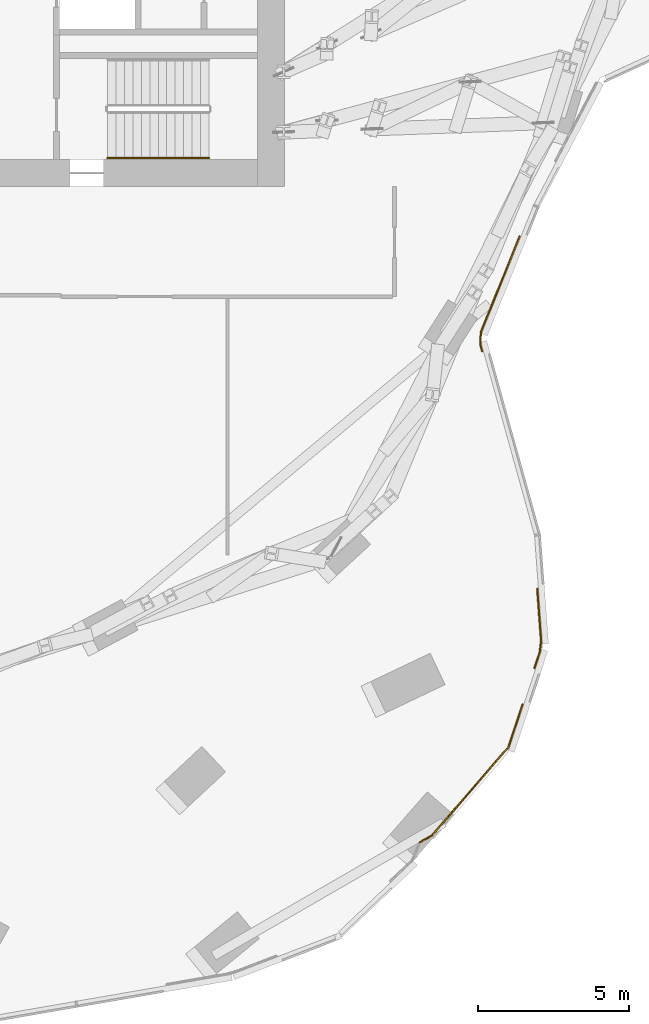
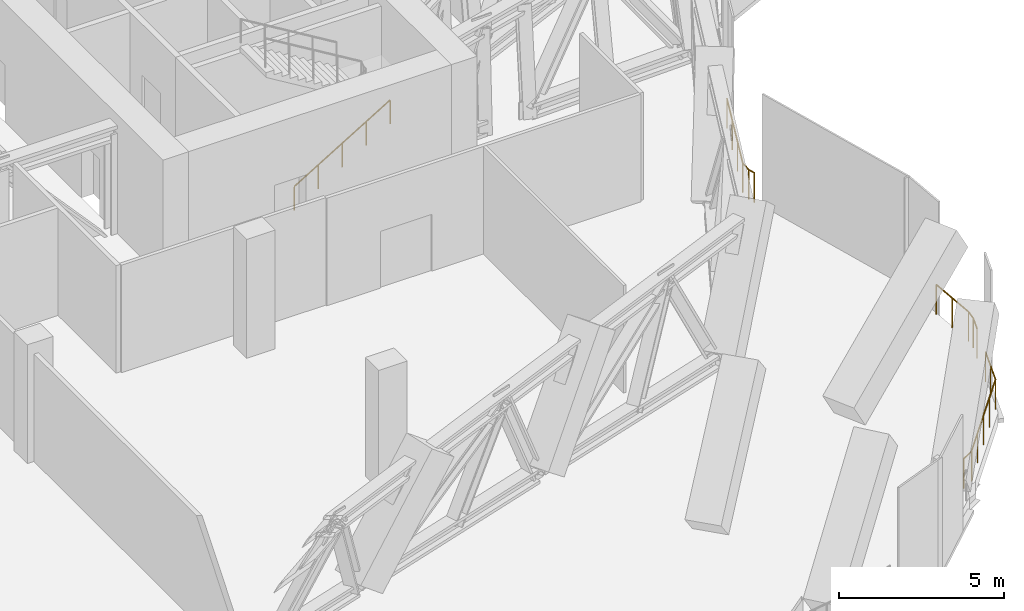
# One storey, part 29 of 31: 5 railings.
"""IFC4 building model written with IfcOpenShell, lengths in metres."""

from ifc_helpers import new_model, si_unit, direction, frame, origin, origin_2d, place, context, subcontext, project, spatial, circle, extrude, material, type_object, element, save


model = new_model("IFC4")

# Units and contexts
model_context = context("Model", 3, precision=1e-05, world=origin(), true_north=direction((0.0, 1.0)))
body_context = subcontext(model_context, "Body", "Model", "MODEL_VIEW")
ifc_project = project(units=[si_unit("LENGTHUNIT", "METRE"), si_unit("AREAUNIT", "SQUARE_METRE"), si_unit("VOLUMEUNIT", "CUBIC_METRE"), si_unit("PLANEANGLEUNIT", "RADIAN"), si_unit("MASSUNIT", "GRAM", prefix="KILO")], contexts=[model_context])

# Site, building, storey
site_placement = place(None, origin())
site = spatial("IfcSite", under=ifc_project, at=site_placement, CompositionType="ELEMENT")
building_placement = place(site_placement, origin())
building = spatial("IfcBuilding", under=site, at=building_placement, Name="Orlundy Tower", CompositionType="ELEMENT")
storey_placement = place(building_placement, frame((0.0, 0.0, 271.0)))
storey = spatial("IfcBuildingStorey", under=building, at=storey_placement, Name="L72", CompositionType="ELEMENT", Elevation=271.0)

# Railings
ifc_material_1 = material(Name="Steel handrail", Category="steel")
railing_type_1 = type_object("IfcRailingType", Name="Stair Handrail 900", PredefinedType="HANDRAIL", material=ifc_material_1)
railing_1_placement = place(storey_placement, frame((13.139892578125, -11.050048828125, 0.169189453125)))
element("IfcRailing", 1, at=railing_1_placement, inside=storey, type_object=railing_type_1, Name="L72 ST-E1 stair handrail 1", PredefinedType="HANDRAIL", context=body_context, shape_type="SweptSolid", body=[
    extrude(circle(Radius=0.02392578125, at=origin_2d()), frame((0.0, 0.0, 0.8759765625), z_axis=(0.855836976705, 0.0, 0.517245656632), x_axis=(0.0, 1.0, 0.0)), (0.0, 0.0, 1.0), 3.926025390625),
    extrude(circle(Radius=0.02099609375, at=origin_2d()), origin(), (0.0, 0.0, 1.0), 0.851806640625),
    extrude(circle(Radius=0.02099609375, at=origin_2d()), frame((0.840087890625, 0.0, 0.5078125)), (0.0, 0.0, 1.0), 0.851806640625),
    extrude(circle(Radius=0.02099609375, at=origin_2d()), frame((1.68017578125, 0.0, 1.015380859375)), (0.0, 0.0, 1.0), 0.851806640625),
    extrude(circle(Radius=0.02099609375, at=origin_2d()), frame((2.52001953125, 0.0, 1.52294921875)), (0.0, 0.0, 1.0), 0.851806640625),
    extrude(circle(Radius=0.02099609375, at=origin_2d()), frame((3.360107421875, 0.0, 2.03076171875)), (0.0, 0.0, 1.0), 0.851806640625),
])
ifc_material_2 = material(Name="Stainless steel bronze finish", Category="steel")
railing_type_2 = type_object("IfcRailingType", Name="TG1 terrace guard", PredefinedType="GUARDRAIL", material=ifc_material_2)
railing_2_placement = place(storey_placement, frame((26.893310546875, -29.168701171875, 0.0)))
element("IfcRailing", 2, at=railing_2_placement, inside=storey, type_object=railing_type_2, Name="Guard TG-L72-E05", PredefinedType="GUARDRAIL", context=body_context, shape_type="SweptSolid", body=[
    extrude(circle(Radius=0.02490234375, at=origin_2d()), frame((0.0, 0.0, 1.09521484375), z_axis=(-0.312969572323, -0.949763153002, 0.0), x_axis=(0.949763153002, -0.312969572323, 0.0)), (0.0, 0.0, 1.0), 1.484375),
    extrude(circle(Radius=0.02490234375, at=origin_2d()), frame((-0.464599609375, -1.409912109375, 1.09521484375), z_axis=(-0.654114698741, -0.756395373394, 0.0), x_axis=(0.756395373394, -0.654114698741, 0.0)), (0.0, 0.0, 1.0), 3.8525390625),
    extrude(circle(Radius=0.02001953125, at=origin_2d()), origin(), (0.0, 0.0, 1.0), 1.070068359375),
    extrude(circle(Radius=0.02001953125, at=origin_2d()), frame((-0.232421875, -0.705078125, 0.0)), (0.0, 0.0, 1.0), 1.070068359375),
    extrude(circle(Radius=0.02001953125, at=origin_2d()), frame((-0.464599609375, -1.409912109375, 0.0)), (0.0, 0.0, 1.0), 1.070068359375),
    extrude(circle(Radius=0.02001953125, at=origin_2d()), frame((-1.0947265625, -2.138427734375, 0.0)), (0.0, 0.0, 1.0), 1.070068359375),
    extrude(circle(Radius=0.02001953125, at=origin_2d()), frame((-1.724609375, -2.866943359375, 0.0)), (0.0, 0.0, 1.0), 1.070068359375),
    extrude(circle(Radius=0.02001953125, at=origin_2d()), frame((-2.3544921875, -3.595458984375, 0.0)), (0.0, 0.0, 1.0), 1.070068359375),
    extrude(circle(Radius=0.02001953125, at=origin_2d()), frame((-2.984619140625, -4.323974609375, 0.0)), (0.0, 0.0, 1.0), 1.070068359375),
])
railing_3_placement = place(storey_placement, frame((26.7958984375, -13.6552734375, 0.0)))
element("IfcRailing", 3, at=railing_3_placement, inside=storey, type_object=railing_type_2, Name="Guard TG-L72-E010", PredefinedType="GUARDRAIL", context=body_context, shape_type="SweptSolid", body=[
    extrude(circle(Radius=0.02490234375, at=origin_2d()), frame((0.0, 0.0, 1.09521484375), z_axis=(-0.374526779355, -0.927216097545, 0.0), x_axis=(0.927216097545, -0.374526779355, 0.0)), (0.0, 0.0, 1.0), 3.42041015625),
    extrude(circle(Radius=0.02490234375, at=origin_2d()), frame((-1.281005859375, -3.17138671875, 1.09521484375), z_axis=(-0.056740364555, -0.998388967803, 0.0), x_axis=(0.998388967803, -0.056740364555, 0.0)), (0.0, 0.0, 1.0), 0.404541015625),
    extrude(circle(Radius=0.02490234375, at=origin_2d()), frame((-1.303955078125, -3.5751953125, 1.09521484375), z_axis=(0.266790427674, -0.963754568187, 0.0), x_axis=(0.963754568187, 0.266790427674, 0.0)), (0.0, 0.0, 1.0), 0.236083984375),
    extrude(circle(Radius=0.02001953125, at=origin_2d()), origin(), (0.0, 0.0, 1.0), 1.070068359375),
    extrude(circle(Radius=0.02001953125, at=origin_2d()), frame((-0.427001953125, -1.05712890625, 0.0)), (0.0, 0.0, 1.0), 1.070068359375),
    extrude(circle(Radius=0.02001953125, at=origin_2d()), frame((-0.85400390625, -2.1142578125, 0.0)), (0.0, 0.0, 1.0), 1.070068359375),
    extrude(circle(Radius=0.02001953125, at=origin_2d()), frame((-1.281005859375, -3.17138671875, 0.0)), (0.0, 0.0, 1.0), 1.070068359375),
    extrude(circle(Radius=0.02001953125, at=origin_2d()), frame((-1.303955078125, -3.5751953125, 0.0)), (0.0, 0.0, 1.0), 1.070068359375),
    extrude(circle(Radius=0.02001953125, at=origin_2d()), frame((-1.240966796875, -3.802734375, 0.0)), (0.0, 0.0, 1.0), 1.070068359375),
])
railing_4_placement = place(storey_placement, frame((27.38134765625, -25.33740234375, 0.0)))
element("IfcRailing", 4, at=railing_4_placement, inside=storey, type_object=railing_type_2, Name="Guard TG-L72-E024", PredefinedType="GUARDRAIL", context=body_context, shape_type="SweptSolid", body=[
    extrude(circle(Radius=0.02490234375, at=origin_2d()), frame((0.0, 0.0, 1.09521484375), z_axis=(0.073871685515, -0.997267754457, 0.0), x_axis=(0.997267754457, 0.073871685515, 0.0)), (0.0, 0.0, 1.0), 1.731689453125),
    extrude(circle(Radius=0.02490234375, at=origin_2d()), frame((0.1279296875, -1.72705078125, 1.09521484375), z_axis=(-0.121801721295, -0.992554452254, 0.0), x_axis=(0.992554452254, -0.121801721295, 0.0)), (0.0, 0.0, 1.0), 0.376708984375),
    extrude(circle(Radius=0.02490234375, at=origin_2d()), frame((0.08203125, -2.10107421875, 1.09521484375), z_axis=(-0.312897126583, -0.949787022535, 0.0), x_axis=(0.949787022535, -0.312897126583, 0.0)), (0.0, 0.0, 1.0), 0.550048828125),
    extrude(circle(Radius=0.02001953125, at=origin_2d()), origin(), (0.0, 0.0, 1.0), 1.070068359375),
    extrude(circle(Radius=0.02001953125, at=origin_2d()), frame((0.06396484375, -0.863525390625, 0.0)), (0.0, 0.0, 1.0), 1.070068359375),
    extrude(circle(Radius=0.02001953125, at=origin_2d()), frame((0.1279296875, -1.72705078125, 0.0)), (0.0, 0.0, 1.0), 1.070068359375),
    extrude(circle(Radius=0.02001953125, at=origin_2d()), frame((0.08203125, -2.10107421875, 0.0)), (0.0, 0.0, 1.0), 1.070068359375),
    extrude(circle(Radius=0.02001953125, at=origin_2d()), frame((-0.090087890625, -2.62353515625, 0.0)), (0.0, 0.0, 1.0), 1.070068359375),
])
railing_5_placement = place(storey_placement, frame((23.89306640625, -33.5107421875, 0.0)))
element("IfcRailing", 5, at=railing_5_placement, inside=storey, type_object=railing_type_2, Name="Guard TG-L72-E027", PredefinedType="GUARDRAIL", context=body_context, shape_type="SweptSolid", body=[
    extrude(circle(Radius=0.02490234375, at=origin_2d()), frame((0.0, 0.0, 1.09521484375), z_axis=(-0.874207498246, -0.485552520341, 0.0), x_axis=(0.485552520341, -0.874207498246, 0.0)), (0.0, 0.0, 1.0), 0.45849609375),
    extrude(circle(Radius=0.02001953125, at=origin_2d()), origin(), (0.0, 0.0, 1.0), 1.070068359375),
    extrude(circle(Radius=0.02001953125, at=origin_2d()), frame((-0.40087890625, -0.22265625, 0.0)), (0.0, 0.0, 1.0), 1.070068359375),
])

save(model, "model.ifc")
